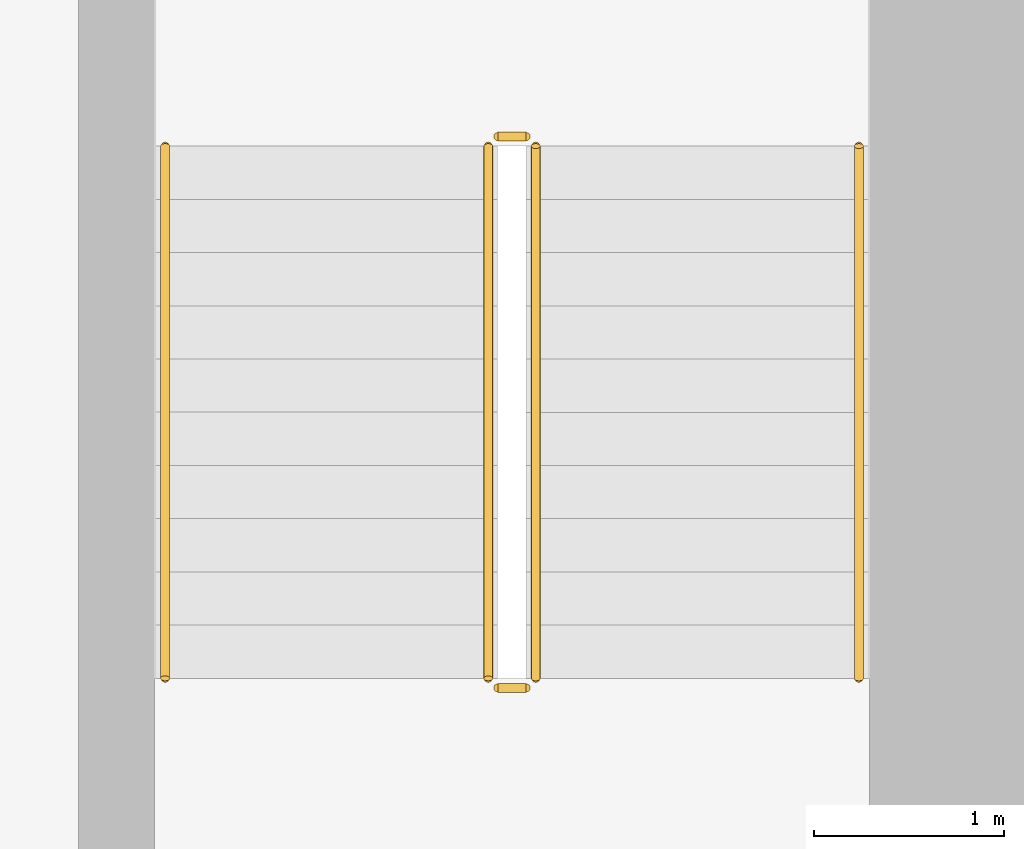
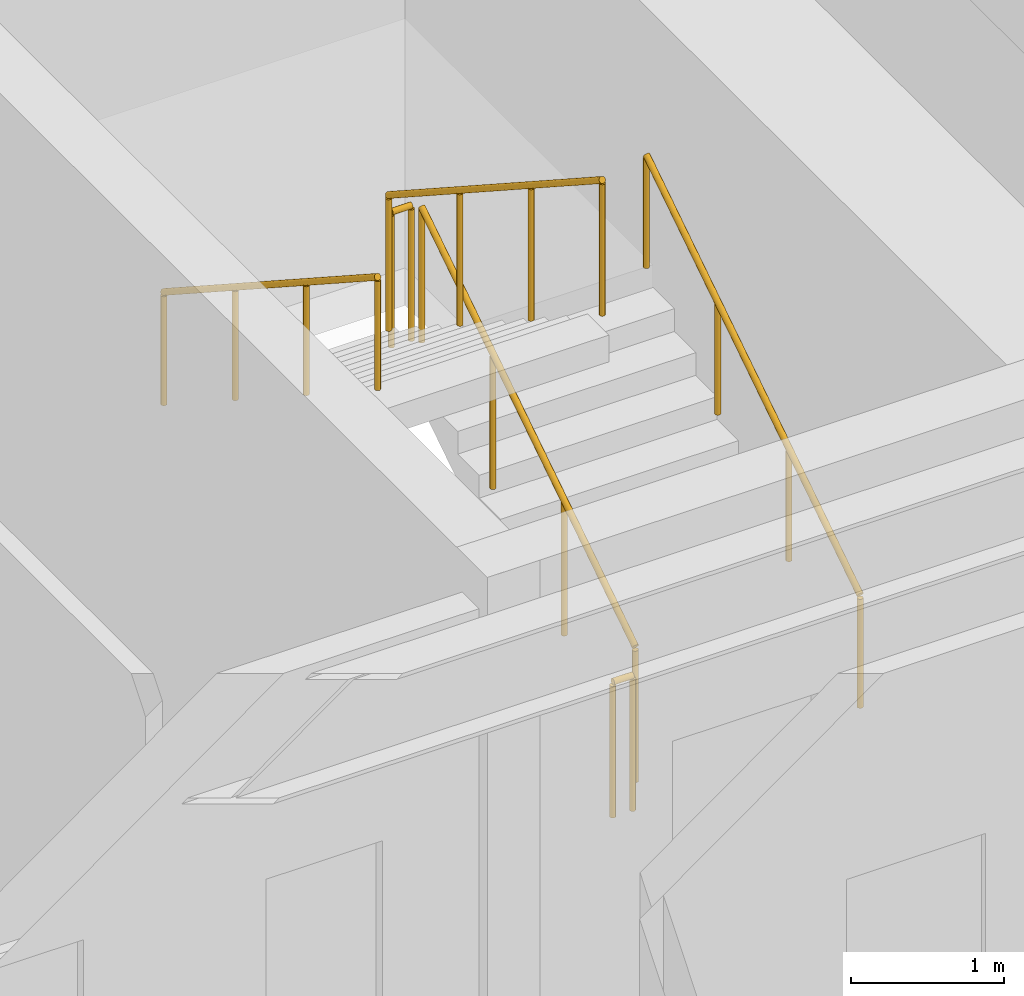
# One storey, part 12 of 12: 6 railings.
"""IFC4 building model written with IfcOpenShell, lengths in metres."""

from ifc_helpers import new_model, si_unit, direction, frame, origin, origin_2d, place, context, subcontext, project, spatial, circle, extrude, material, type_object, element, save


model = new_model("IFC4")

# Units and contexts
model_context = context("Model", 3, precision=1e-05, world=origin(), true_north=direction((0.0, 1.0)))
body_context = subcontext(model_context, "Body", "Model", "MODEL_VIEW")
ifc_project = project(units=[si_unit("LENGTHUNIT", "METRE"), si_unit("AREAUNIT", "SQUARE_METRE"), si_unit("VOLUMEUNIT", "CUBIC_METRE"), si_unit("PLANEANGLEUNIT", "RADIAN"), si_unit("MASSUNIT", "GRAM", prefix="KILO")], contexts=[model_context])

# Site, building, storey
site_placement = place(None, origin())
site = spatial("IfcSite", under=ifc_project, at=site_placement, CompositionType="ELEMENT")
building_placement = place(site_placement, origin())
building = spatial("IfcBuilding", under=site, at=building_placement, Name="Sulina Concourse Tower", CompositionType="ELEMENT")
storey_placement = place(building_placement, frame((0.0, 0.0, 38.60009765625)))
storey = spatial("IfcBuildingStorey", under=building, at=storey_placement, Name="L09", CompositionType="ELEMENT", Elevation=38.60009765625)

# Railings
ifc_material_1 = material(Name="Galvanised steel railing", Category="steel")
railing_type_1 = type_object("IfcRailingType", Name="Core Stair Steel Guardrail 1150mm", PredefinedType="GUARDRAIL", material=ifc_material_1)
railing_1_placement = place(storey_placement, frame((52.695068359375, 36.375, 0.181640625)))
element("IfcRailing", 1, at=railing_1_placement, inside=storey, type_object=railing_type_1, Name="L09 ST-4 stair guard 1", PredefinedType="GUARDRAIL", context=body_context, shape_type="SweptSolid", body=[
    extrude(circle(Radius=0.02392578125, at=origin_2d()), frame((0.0, 0.0, 1.076171875), z_axis=(0.0, 0.838672427954, 0.544636170843), x_axis=(-1.0, 0.0, 0.0)), (0.0, 0.0, 1.0), 3.338623046875),
    extrude(circle(Radius=0.02099609375, at=origin_2d()), origin(), (0.0, 0.0, 1.0), 1.052001953125),
    extrude(circle(Radius=0.02099609375, at=origin_2d()), frame((0.0, 0.933349609375, 0.606201171875)), (0.0, 0.0, 1.0), 1.052001953125),
    extrude(circle(Radius=0.02099609375, at=origin_2d()), frame((0.0, 1.86669921875, 1.212158203125)), (0.0, 0.0, 1.0), 1.052001953125),
    extrude(circle(Radius=0.02099609375, at=origin_2d()), frame((0.0, 2.800048828125, 1.818359375)), (0.0, 0.0, 1.0), 1.052001953125),
])
railing_2_placement = place(storey_placement, frame((52.64501953125, 39.22509765625, 2.0)))
element("IfcRailing", 2, at=railing_2_placement, inside=storey, type_object=railing_type_1, Name="L09 ST-4 stair guard 2", PredefinedType="GUARDRAIL", context=body_context, shape_type="SweptSolid", body=[
    extrude(circle(Radius=0.02392578125, at=origin_2d()), frame((0.0, 0.0, 1.076171875), z_axis=(-1.0, 0.0, 0.0), x_axis=(0.0, -1.0, 0.0)), (0.0, 0.0, 1.0), 0.14990234375),
    extrude(circle(Radius=0.02099609375, at=origin_2d()), origin(), (0.0, 0.0, 1.0), 1.052001953125),
    extrude(circle(Radius=0.02099609375, at=origin_2d()), frame((-0.14990234375, 0.0, 0.0)), (0.0, 0.0, 1.0), 1.052001953125),
])
railing_3_placement = place(storey_placement, frame((52.445068359375, 39.175048828125, 2.181640625)))
element("IfcRailing", 3, at=railing_3_placement, inside=storey, type_object=railing_type_1, Name="L09 ST-4 stair guard 3", PredefinedType="GUARDRAIL", context=body_context, shape_type="SweptSolid", body=[
    extrude(circle(Radius=0.02392578125, at=origin_2d()), frame((0.0, 0.0, 1.076171875), z_axis=(0.0, -0.838672427954, 0.544636170843), x_axis=(1.0, 0.0, 0.0)), (0.0, 0.0, 1.0), 3.338623046875),
    extrude(circle(Radius=0.02099609375, at=origin_2d()), origin(), (0.0, 0.0, 1.0), 1.052001953125),
    extrude(circle(Radius=0.02099609375, at=origin_2d()), frame((0.0, -0.933349609375, 0.606201171875)), (0.0, 0.0, 1.0), 1.052001953125),
    extrude(circle(Radius=0.02099609375, at=origin_2d()), frame((0.0, -1.86669921875, 1.212158203125)), (0.0, 0.0, 1.0), 1.052001953125),
    extrude(circle(Radius=0.02099609375, at=origin_2d()), frame((0.0, -2.800048828125, 1.818359375)), (0.0, 0.0, 1.0), 1.052001953125),
])
railing_4_placement = place(storey_placement, frame((52.64501953125, 36.324951171875, 0.0)))
element("IfcRailing", 4, at=railing_4_placement, inside=storey, type_object=railing_type_1, Name="L09 ST-4 stair guard 4", PredefinedType="GUARDRAIL", context=body_context, shape_type="SweptSolid", body=[
    extrude(circle(Radius=0.02392578125, at=origin_2d()), frame((0.0, 0.0, 1.076171875), z_axis=(-1.0, 0.0, 0.0), x_axis=(0.0, -1.0, 0.0)), (0.0, 0.0, 1.0), 0.14990234375),
    extrude(circle(Radius=0.02099609375, at=origin_2d()), origin(), (0.0, 0.0, 1.0), 1.052001953125),
    extrude(circle(Radius=0.02099609375, at=origin_2d()), frame((-0.14990234375, 0.0, 0.0)), (0.0, 0.0, 1.0), 1.052001953125),
])
ifc_material_2 = material(Name="Galvanised steel railing", Category="steel")
railing_type_2 = type_object("IfcRailingType", Name="Stair Wall Steel Handrail 920mm", PredefinedType="HANDRAIL", material=ifc_material_2)
railing_5_placement = place(storey_placement, frame((54.39501953125, 36.375, 0.181640625)))
element("IfcRailing", 5, at=railing_5_placement, inside=storey, type_object=railing_type_2, Name="L09 ST-4 stair handrail 1", PredefinedType="HANDRAIL", context=body_context, shape_type="SweptSolid", body=[
    extrude(circle(Radius=0.02392578125, at=origin_2d()), frame((0.0, 0.0, 0.89599609375), z_axis=(0.0, 0.838672427954, 0.544636170843), x_axis=(-1.0, 0.0, 0.0)), (0.0, 0.0, 1.0), 3.338623046875),
    extrude(circle(Radius=0.02099609375, at=origin_2d()), origin(), (0.0, 0.0, 1.0), 0.871826171875),
    extrude(circle(Radius=0.02099609375, at=origin_2d()), frame((0.0, 0.933349609375, 0.606201171875)), (0.0, 0.0, 1.0), 0.871826171875),
    extrude(circle(Radius=0.02099609375, at=origin_2d()), frame((0.0, 1.86669921875, 1.212158203125)), (0.0, 0.0, 1.0), 0.871826171875),
    extrude(circle(Radius=0.02099609375, at=origin_2d()), frame((0.0, 2.800048828125, 1.818359375)), (0.0, 0.0, 1.0), 0.871826171875),
])
railing_6_placement = place(storey_placement, frame((50.7451171875, 39.175048828125, 2.181640625)))
element("IfcRailing", 6, at=railing_6_placement, inside=storey, type_object=railing_type_2, Name="L09 ST-4 stair handrail 2", PredefinedType="HANDRAIL", context=body_context, shape_type="SweptSolid", body=[
    extrude(circle(Radius=0.02392578125, at=origin_2d()), frame((0.0, 0.0, 0.89599609375), z_axis=(0.0, -0.838672427954, 0.544636170843), x_axis=(1.0, 0.0, 0.0)), (0.0, 0.0, 1.0), 3.338623046875),
    extrude(circle(Radius=0.02099609375, at=origin_2d()), origin(), (0.0, 0.0, 1.0), 0.871826171875),
    extrude(circle(Radius=0.02099609375, at=origin_2d()), frame((0.0, -0.933349609375, 0.606201171875)), (0.0, 0.0, 1.0), 0.871826171875),
    extrude(circle(Radius=0.02099609375, at=origin_2d()), frame((0.0, -1.86669921875, 1.212158203125)), (0.0, 0.0, 1.0), 0.871826171875),
    extrude(circle(Radius=0.02099609375, at=origin_2d()), frame((0.0, -2.800048828125, 1.818359375)), (0.0, 0.0, 1.0), 0.871826171875),
])

save(model, "model.ifc")
